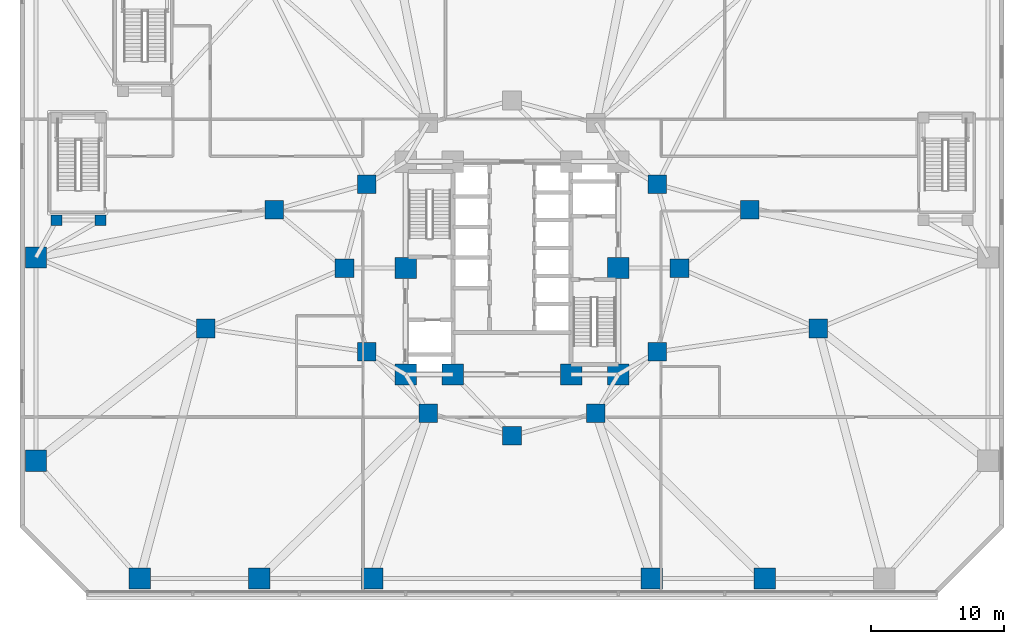
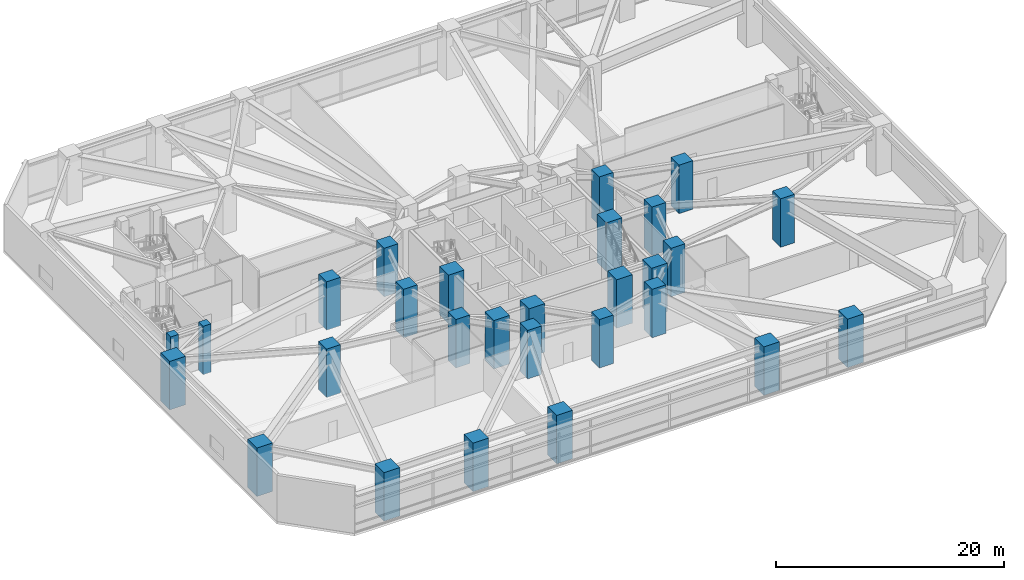
# One storey, part 1 of 27: 28 columns.
"""IFC4 building model written with IfcOpenShell, lengths in metres."""

from ifc_helpers import new_model, si_unit, direction, frame, origin, origin_2d, place, context, subcontext, project, spatial, rectangle, extrude, material, material_profile, profile_set, type_object, element, save


model = new_model("IFC4")

# Units and contexts
model_context = context("Model", 3, precision=1e-05, world=origin(), true_north=direction((0.0, 1.0)))
body_context = subcontext(model_context, "Body", "Model", "MODEL_VIEW")
ifc_project = project(units=[si_unit("LENGTHUNIT", "METRE"), si_unit("AREAUNIT", "SQUARE_METRE"), si_unit("VOLUMEUNIT", "CUBIC_METRE"), si_unit("PLANEANGLEUNIT", "RADIAN"), si_unit("MASSUNIT", "GRAM", prefix="KILO")], contexts=[model_context])

# Site, building, storey
site_placement = place(None, origin())
site = spatial("IfcSite", under=ifc_project, at=site_placement, CompositionType="ELEMENT")
building_placement = place(site_placement, origin())
building = spatial("IfcBuilding", under=site, at=building_placement, Name="Terralouvre Media Tower", CompositionType="ELEMENT")
storey_placement = place(building_placement, frame((0.0, 0.0, 5.199951171875)))
storey = spatial("IfcBuildingStorey", under=building, at=storey_placement, Name="L01", CompositionType="ELEMENT", Elevation=5.199951171875)

# Columns
ifc_material_1 = material(Name="Concrete C60/75", Category="concrete")
ifc_material_profile_1 = material_profile(ifc_material_1, rectangle(XDim=1.39990234375, YDim=1.39990234375, at=origin_2d()), Name="RC 1400x1400")
ifc_profile_set_1 = profile_set([ifc_material_profile_1], Name="Concrete C60/75")
column_type_1 = type_object("IfcColumnType", Name="Structural Column C-RC1400 (RC 1400x1400)", PredefinedType="COLUMN", material=ifc_profile_set_1)
for number, where, z_axis, x_axis, name in (
    (1, (12.60009765625, 0.0, 0.0), (0.0, 0.0, 1.0), (1.0, 0.0, 0.0), "L01 Mega-Frame Column MC01"),
    (2, (10.911865234375, 6.300048828125, 0.0), (0.0, 0.0, 1.0), (1.0, 0.0, 0.0), "L01 Mega-Frame Column MC02"),
    (3, (-10.911865234375, 6.300048828125, 0.0), (0.0, 0.0, 1.0), (1.0, 0.0, 0.0), "L01 Mega-Frame Column MC06"),
    (4, (-12.60009765625, 0.0, 0.0), (0.0, 0.0, 1.0), (1.0, 0.0, 0.0), "L01 Mega-Frame Column MC07"),
    (5, (-10.911865234375, -6.300048828125, 0.0), (0.0, 0.0, 1.0), (1.0, 0.0, 0.0), "L01 Mega-Frame Column MC08"),
    (6, (-6.300048828125, -10.911865234375, 0.0), (0.0, 0.0, 1.0), (1.0, 0.0, 0.0), "L01 Mega-Frame Column MC09"),
    (7, (0.0, -12.60009765625, 0.0), (0.0, 0.0, 1.0), (1.0, 0.0, 0.0), "L01 Mega-Frame Column MC10"),
    (8, (6.300048828125, -10.911865234375, 0.0), (0.0, 0.0, 1.0), (1.0, 0.0, 0.0), "L01 Mega-Frame Column MC11"),
    (9, (10.911865234375, -6.300048828125, 0.0), (0.0, 0.0, 1.0), (1.0, 0.0, 0.0), "L01 Mega-Frame Column MC12"),
    (10, (23.02490234375, -4.546630859375, 0.0), (0.0, 0.0, 1.0), (1.0, 0.0, 0.0), "L01 Podium Transfer Column PM21"),
    (11, (17.874755859375, 4.373291015625, 0.0), (0.0, 0.0, 1.0), (1.0, 0.0, 0.0), "L01 Podium Transfer Column PM22"),
    (12, (-17.874755859375, 4.373291015625, 0.0), (0.0, 0.0, 1.0), (1.0, 0.0, 0.0), "L01 Podium Transfer Column PM23"),
    (13, (-23.02490234375, -4.546630859375, 0.0), (0.0, 0.0, 1.0), (1.0, 0.0, 0.0), "L01 Podium Transfer Column PM24"),
):
    element("IfcColumn", number, at=place(storey_placement, frame(where, z_axis=z_axis, x_axis=x_axis)), inside=storey, type_object=column_type_1, Name=name, PredefinedType="COLUMN", context=body_context, shape_type="SweptSolid", body=[
        extrude(rectangle(XDim=1.39990234375, YDim=1.39990234375, at=origin_2d()), origin(), (0.0, 0.0, 1.0), 5.199951171875),
    ])
ifc_material_2 = material(Name="Concrete C60/75", Category="concrete")
ifc_material_profile_2 = material_profile(ifc_material_2, rectangle(XDim=1.60009765625, YDim=1.60009765625, at=origin_2d()), Name="RC 1600x1600")
ifc_profile_set_2 = profile_set([ifc_material_profile_2], Name="Concrete C60/75")
column_type_2 = type_object("IfcColumnType", Name="Structural Column C-RC1600 (RC 1600x1600)", PredefinedType="COLUMN", material=ifc_profile_set_2)
for number, where, z_axis, x_axis, name in (
    (14, (-8.0, -8.0, 0.0), (0.0, 0.0, 1.0), (1.0, 0.0, 0.0), "L01 Core Pilaster Column CP1"),
    (15, (-4.449951171875, -8.0, 0.0), (0.0, 0.0, 1.0), (1.0, 0.0, 0.0), "L01 Core Pilaster Column CP2"),
    (16, (4.449951171875, -8.0, 0.0), (0.0, 0.0, 1.0), (1.0, 0.0, 0.0), "L01 Core Pilaster Column CP10"),
    (17, (8.0, -8.0, 0.0), (0.0, 0.0, 1.0), (1.0, 0.0, 0.0), "L01 Core Pilaster Column CP3"),
    (18, (8.0, 0.0, 0.0), (0.0, 0.0, 1.0), (1.0, 0.0, 0.0), "L01 Core Pilaster Column CP4"),
    (19, (-8.0, 0.0, 0.0), (0.0, 0.0, 1.0), (1.0, 0.0, 0.0), "L01 Core Pilaster Column CP8"),
    (20, (-28.0, -23.35009765625, 0.0), (0.0, 0.0, 1.0), (1.0, 0.0, 0.0), "L01 Perimeter Mega-Column PM01"),
    (21, (-19.0, -23.35009765625, 0.0), (0.0, 0.0, 1.0), (1.0, 0.0, 0.0), "L01 Perimeter Mega-Column PM02"),
    (22, (-10.5, -23.35009765625, 0.0), (0.0, 0.0, 1.0), (1.0, 0.0, 0.0), "L01 Perimeter Mega-Column PM03"),
    (23, (10.5, -23.35009765625, 0.0), (0.0, 0.0, 1.0), (1.0, 0.0, 0.0), "L01 Perimeter Mega-Column PM04"),
    (24, (19.0, -23.35009765625, 0.0), (0.0, 0.0, 1.0), (1.0, 0.0, 0.0), "L01 Perimeter Mega-Column PM05"),
    (25, (-35.800048828125, 0.800048828125, 0.0), (0.0, 0.0, 1.0), (1.0, 0.0, 0.0), "L01 Perimeter Mega-Column PM17"),
    (26, (-35.800048828125, -14.5, 0.0), (0.0, 0.0, 1.0), (1.0, 0.0, 0.0), "L01 Perimeter Mega-Column PM18"),
):
    element("IfcColumn", number, at=place(storey_placement, frame(where, z_axis=z_axis, x_axis=x_axis)), inside=storey, type_object=column_type_2, Name=name, PredefinedType="COLUMN", context=body_context, shape_type="SweptSolid", body=[
        extrude(rectangle(XDim=1.60009765625, YDim=1.60009765625, at=origin_2d()), origin(), (0.0, 0.0, 1.0), 5.199951171875),
    ])
ifc_material_3 = material(Name="Concrete C50/60", Category="concrete")
ifc_material_profile_3 = material_profile(ifc_material_3, rectangle(XDim=0.800048828125, YDim=0.800048828125, at=origin_2d()), Name="RC 800x800")
ifc_profile_set_3 = profile_set([ifc_material_profile_3], Name="Concrete C50/60")
column_type_3 = type_object("IfcColumnType", Name="Structural Column C-RC800 (RC 800x800)", PredefinedType="COLUMN", material=ifc_profile_set_3)
for number, where, z_axis, x_axis, name in (
    (27, (-34.25, 3.60009765625, 0.0), (0.0, 0.0, 1.0), (1.0, 0.0, 0.0), "L01 Stair Pavilion Support Column ST3C1"),
    (28, (-30.949951171875, 3.60009765625, 0.0), (0.0, 0.0, 1.0), (1.0, 0.0, 0.0), "L01 Stair Pavilion Support Column ST3C2"),
):
    element("IfcColumn", number, at=place(storey_placement, frame(where, z_axis=z_axis, x_axis=x_axis)), inside=storey, type_object=column_type_3, Name=name, PredefinedType="COLUMN", context=body_context, shape_type="SweptSolid", body=[
        extrude(rectangle(XDim=0.800048828125, YDim=0.800048828125, at=origin_2d()), origin(), (0.0, 0.0, 1.0), 5.199951171875),
    ])

save(model, "model.ifc")
